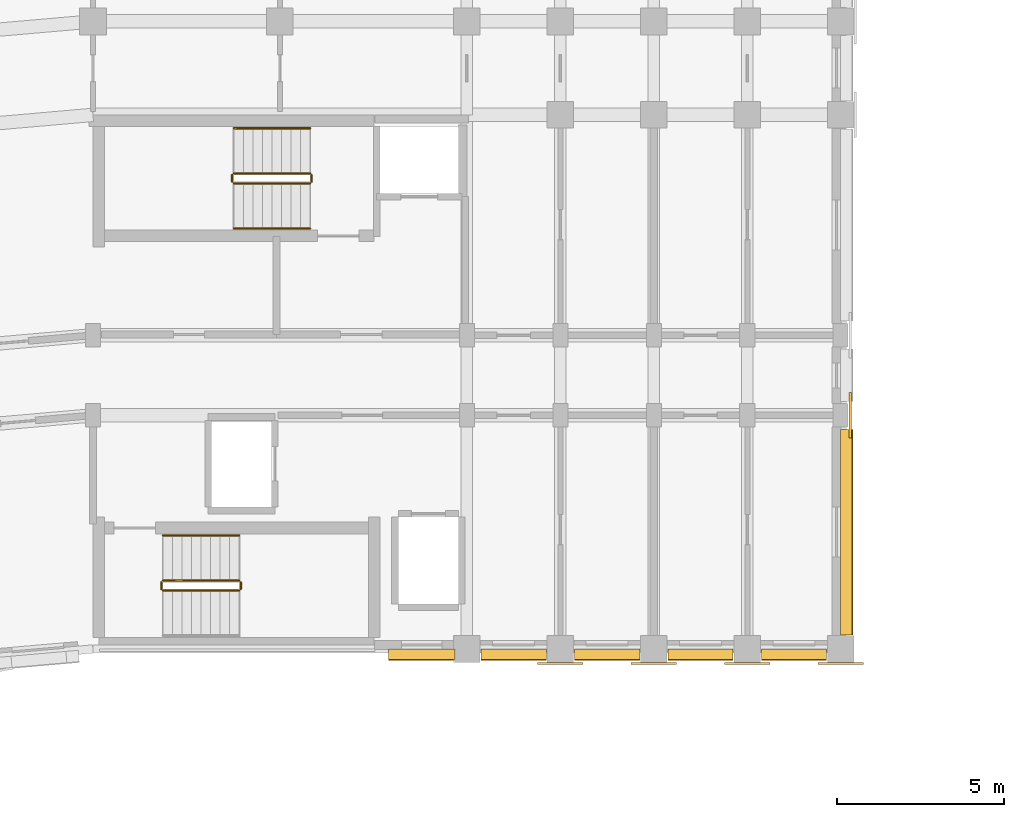
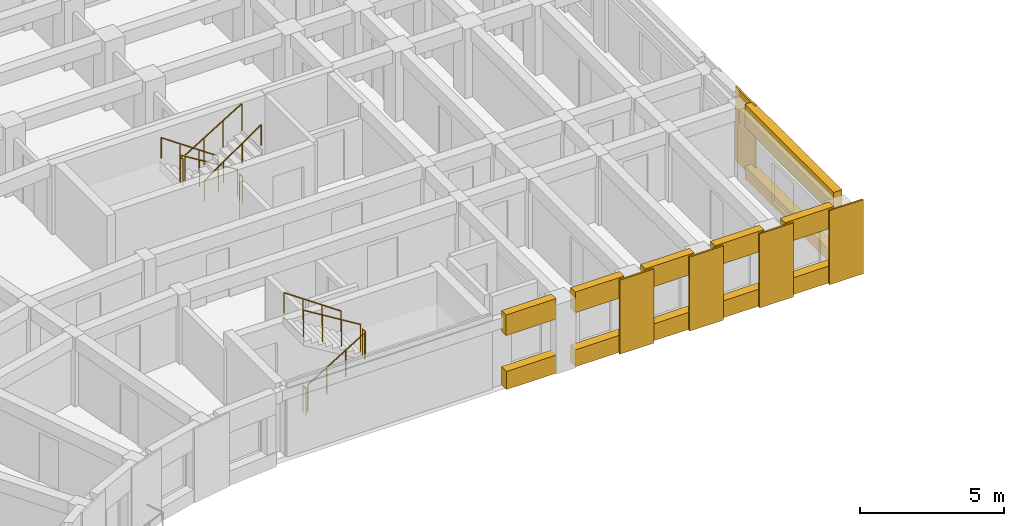
# One storey, part 47 of 54: 17 coverings, 11 railings.
"""IFC4 building model written with IfcOpenShell, lengths in metres."""

from ifc_helpers import new_model, si_unit, direction, frame, origin, origin_2d, place, context, subcontext, project, spatial, polyline, circle, outline, extrude, material, layer, layer_set, type_object, element, save


model = new_model("IFC4")

# Units and contexts
model_context = context("Model", 3, precision=1e-05, world=origin(), true_north=direction((0.0, 1.0)))
body_context = subcontext(model_context, "Body", "Model", "MODEL_VIEW")
ifc_project = project(units=[si_unit("LENGTHUNIT", "METRE"), si_unit("AREAUNIT", "SQUARE_METRE"), si_unit("VOLUMEUNIT", "CUBIC_METRE"), si_unit("PLANEANGLEUNIT", "RADIAN"), si_unit("MASSUNIT", "GRAM", prefix="KILO")], contexts=[model_context])

# Site, building, storey
site_placement = place(None, origin())
site = spatial("IfcSite", under=ifc_project, at=site_placement, CompositionType="ELEMENT")
building_placement = place(site_placement, origin())
building = spatial("IfcBuilding", under=site, at=building_placement, Name="Kiranvali Square Residences", CompositionType="ELEMENT")
storey_placement = place(building_placement, frame((0.0, 0.0, 11.85009765625)))
storey = spatial("IfcBuildingStorey", under=building, at=storey_placement, Name="L03", CompositionType="ELEMENT", Elevation=11.85009765625)

# Coverings
ifc_material_1 = material(Name="Honed Porbandar limestone ashlar facade cladding", Category="masonry")
ifc_layer_1 = layer(ifc_material_1, 0.050048828125)
ifc_layer_set_1 = layer_set([ifc_layer_1], Name="Honed Porbandar limestone ashlar facade cladding")
covering_type_1 = type_object("IfcCoveringType", Name="COV-CLAD-PIER-IN", PredefinedType="CLADDING", material=ifc_layer_set_1)
covering_1_placement = place(storey_placement, frame((0.0, 0.0, 0.0048828125)))
element("IfcCovering", 1, at=covering_1_placement, inside=storey, type_object=covering_type_1, Name="L03 Classical limestone pilaster casing CLAD-PRA1I-A-L03-U140", PredefinedType="CLADDING", context=body_context, shape_type="SweptSolid", body=[
    extrude(outline(polyline([(61.52001953125, 106.132080078125), (62.8798828125, 106.132080078125), (62.8798828125, 106.199462890625), (61.52001953125, 106.199462890625), (61.52001953125, 106.132080078125)])), origin(), (0.0, 0.0, 1.0), 3.14013671875),
])
covering_2_placement = place(storey_placement, frame((0.0, 0.0, 0.0048828125)))
element("IfcCovering", 2, at=covering_2_placement, inside=storey, type_object=covering_type_1, Name="L03 Classical limestone pilaster casing CLAD-PRA1I-A-L03-U167", PredefinedType="CLADDING", context=body_context, shape_type="SweptSolid", body=[
    extrude(outline(polyline([(64.320068359375, 106.132080078125), (65.679931640625, 106.132080078125), (65.679931640625, 106.199462890625), (64.320068359375, 106.199462890625), (64.320068359375, 106.132080078125)])), origin(), (0.0, 0.0, 1.0), 3.14013671875),
])
covering_3_placement = place(storey_placement, frame((0.0, 0.0, 0.0048828125)))
element("IfcCovering", 3, at=covering_3_placement, inside=storey, type_object=covering_type_1, Name="L03 Classical limestone pilaster casing CLAD-PRA1I-A-L03-U195", PredefinedType="CLADDING", context=body_context, shape_type="SweptSolid", body=[
    extrude(outline(polyline([(67.1201171875, 106.132080078125), (68.47998046875, 106.132080078125), (68.47998046875, 106.199462890625), (67.1201171875, 106.199462890625), (67.1201171875, 106.132080078125)])), origin(), (0.0, 0.0, 1.0), 3.14013671875),
])
covering_4_placement = place(storey_placement, frame((0.0, 0.0, 0.0048828125)))
element("IfcCovering", 4, at=covering_4_placement, inside=storey, type_object=covering_type_1, Name="L03 Classical limestone pilaster casing CLAD-PRA1I-A-L03-U224", PredefinedType="CLADDING", context=body_context, shape_type="SweptSolid", body=[
    extrude(outline(polyline([(69.919921875, 106.132080078125), (71.280029296875, 106.132080078125), (71.280029296875, 106.199462890625), (69.919921875, 106.199462890625), (69.919921875, 106.132080078125)])), origin(), (0.0, 0.0, 1.0), 3.14013671875),
])
ifc_layer_2 = layer(ifc_material_1, 0.054931640625)
ifc_layer_set_2 = layer_set([ifc_layer_2], Name="Honed Porbandar limestone ashlar facade cladding")
covering_type_2 = type_object("IfcCoveringType", Name="COV-CLAD-PIER-UP", PredefinedType="CLADDING", material=ifc_layer_set_2)
covering_5_placement = place(storey_placement, frame((0.0, 0.0, 0.0048828125)))
element("IfcCovering", 5, at=covering_5_placement, inside=storey, type_object=covering_type_2, Name="L03 Classical limestone pilaster casing CLAD-PRA1E-A-L03-R258", PredefinedType="CLADDING", context=body_context, shape_type="SweptSolid", body=[
    extrude(outline(polyline([(70.91796875, 112.919921875), (70.91796875, 114.280029296875), (70.8505859375, 114.280029296875), (70.8505859375, 112.919921875), (70.91796875, 112.919921875)])), origin(), (0.0, 0.0, 1.0), 3.14013671875),
])
ifc_layer_3 = layer(ifc_material_1, 0.360107421875)
ifc_layer_set_3 = layer_set([ifc_layer_3], Name="Honed Porbandar limestone ashlar facade cladding")
covering_type_3 = type_object("IfcCoveringType", Name="COV-CLAD-WALL", PredefinedType="CLADDING", material=ifc_layer_set_3)
covering_6_placement = place(storey_placement, frame((0.0, 0.0, 2.27197265625)))
element("IfcCovering", 6, at=covering_6_placement, inside=storey, type_object=covering_type_3, Name="L03 light limestone spandrel lintel A-L03-A1IN-0", PredefinedType="CLADDING", context=body_context, shape_type="SweptSolid", body=[
    extrude(outline(polyline([(57.050048828125, 106.280029296875), (59.050048828125, 106.280029296875), (59.050048828125, 106.599609375), (57.050048828125, 106.599609375), (57.050048828125, 106.280029296875)])), origin(), (0.0, 0.0, 1.0), 0.873046875),
])
covering_7_placement = place(storey_placement, frame((0.0, 0.0, 0.0048828125)))
element("IfcCovering", 7, at=covering_7_placement, inside=storey, type_object=covering_type_3, Name="L03 limestone window sill apron A-L03-A1IN-0", PredefinedType="CLADDING", context=body_context, shape_type="SweptSolid", body=[
    extrude(outline(polyline([(57.050048828125, 106.25), (59.050048828125, 106.25), (59.050048828125, 106.599609375), (57.050048828125, 106.599609375), (57.050048828125, 106.25)])), origin(), (0.0, 0.0, 1.0), 0.76708984375),
])
covering_8_placement = place(storey_placement, frame((0.0, 0.0, 2.27197265625)))
element("IfcCovering", 8, at=covering_8_placement, inside=storey, type_object=covering_type_3, Name="L03 light limestone spandrel lintel A-L03-A1I-0", PredefinedType="CLADDING", context=body_context, shape_type="SweptSolid", body=[
    extrude(outline(polyline([(59.820068359375, 106.280029296875), (61.780029296875, 106.280029296875), (61.780029296875, 106.599609375), (59.820068359375, 106.599609375), (59.820068359375, 106.280029296875)])), origin(), (0.0, 0.0, 1.0), 0.873046875),
])
covering_9_placement = place(storey_placement, frame((0.0, 0.0, 0.0048828125)))
element("IfcCovering", 9, at=covering_9_placement, inside=storey, type_object=covering_type_3, Name="L03 limestone window sill apron A-L03-A1I-0", PredefinedType="CLADDING", context=body_context, shape_type="SweptSolid", body=[
    extrude(outline(polyline([(59.820068359375, 106.25), (61.780029296875, 106.25), (61.780029296875, 106.599609375), (59.820068359375, 106.599609375), (59.820068359375, 106.25)])), origin(), (0.0, 0.0, 1.0), 0.717041015625),
])
covering_10_placement = place(storey_placement, frame((0.0, 0.0, 2.27197265625)))
element("IfcCovering", 10, at=covering_10_placement, inside=storey, type_object=covering_type_3, Name="L03 light limestone spandrel lintel A-L03-A1I-1", PredefinedType="CLADDING", context=body_context, shape_type="SweptSolid", body=[
    extrude(outline(polyline([(62.6201171875, 106.280029296875), (64.580078125, 106.280029296875), (64.580078125, 106.599609375), (62.6201171875, 106.599609375), (62.6201171875, 106.280029296875)])), origin(), (0.0, 0.0, 1.0), 0.873046875),
])
covering_11_placement = place(storey_placement, frame((0.0, 0.0, 0.0048828125)))
element("IfcCovering", 11, at=covering_11_placement, inside=storey, type_object=covering_type_3, Name="L03 limestone window sill apron A-L03-A1I-1", PredefinedType="CLADDING", context=body_context, shape_type="SweptSolid", body=[
    extrude(outline(polyline([(62.6201171875, 106.25), (64.580078125, 106.25), (64.580078125, 106.599609375), (62.6201171875, 106.599609375), (62.6201171875, 106.25)])), origin(), (0.0, 0.0, 1.0), 0.717041015625),
])
covering_12_placement = place(storey_placement, frame((0.0, 0.0, 2.27197265625)))
element("IfcCovering", 12, at=covering_12_placement, inside=storey, type_object=covering_type_3, Name="L03 light limestone spandrel lintel A-L03-A1I-2", PredefinedType="CLADDING", context=body_context, shape_type="SweptSolid", body=[
    extrude(outline(polyline([(65.419921875, 106.280029296875), (67.3798828125, 106.280029296875), (67.3798828125, 106.599609375), (65.419921875, 106.599609375), (65.419921875, 106.280029296875)])), origin(), (0.0, 0.0, 1.0), 0.873046875),
])
covering_13_placement = place(storey_placement, frame((0.0, 0.0, 0.0048828125)))
element("IfcCovering", 13, at=covering_13_placement, inside=storey, type_object=covering_type_3, Name="L03 limestone window sill apron A-L03-A1I-2", PredefinedType="CLADDING", context=body_context, shape_type="SweptSolid", body=[
    extrude(outline(polyline([(65.419921875, 106.25), (67.3798828125, 106.25), (67.3798828125, 106.599609375), (65.419921875, 106.599609375), (65.419921875, 106.25)])), origin(), (0.0, 0.0, 1.0), 0.717041015625),
])
covering_14_placement = place(storey_placement, frame((0.0, 0.0, 2.27197265625)))
element("IfcCovering", 14, at=covering_14_placement, inside=storey, type_object=covering_type_3, Name="L03 light limestone spandrel lintel A-L03-A1I-3", PredefinedType="CLADDING", context=body_context, shape_type="SweptSolid", body=[
    extrude(outline(polyline([(68.219970703125, 106.280029296875), (70.179931640625, 106.280029296875), (70.179931640625, 106.599609375), (68.219970703125, 106.599609375), (68.219970703125, 106.280029296875)])), origin(), (0.0, 0.0, 1.0), 0.873046875),
])
covering_15_placement = place(storey_placement, frame((0.0, 0.0, 0.0048828125)))
element("IfcCovering", 15, at=covering_15_placement, inside=storey, type_object=covering_type_3, Name="L03 limestone window sill apron A-L03-A1I-3", PredefinedType="CLADDING", context=body_context, shape_type="SweptSolid", body=[
    extrude(outline(polyline([(68.219970703125, 106.25), (70.179931640625, 106.25), (70.179931640625, 106.599609375), (68.219970703125, 106.599609375), (68.219970703125, 106.25)])), origin(), (0.0, 0.0, 1.0), 0.717041015625),
])
covering_16_placement = place(storey_placement, frame((0.0, 0.0, 2.171875)))
element("IfcCovering", 16, at=covering_16_placement, inside=storey, type_object=covering_type_3, Name="L03 light limestone spandrel lintel A-L03-A1END-0", PredefinedType="CLADDING", context=body_context, shape_type="SweptSolid", body=[
    extrude(outline(polyline([(70.93994140625, 107.02001953125), (70.93994140625, 113.179931640625), (70.6005859375, 113.179931640625), (70.6005859375, 107.02001953125), (70.93994140625, 107.02001953125)])), origin(), (0.0, 0.0, 1.0), 0.97314453125),
])
covering_17_placement = place(storey_placement, frame((0.0, 0.0, 0.0048828125)))
element("IfcCovering", 17, at=covering_17_placement, inside=storey, type_object=covering_type_3, Name="L03 limestone window sill apron A-L03-A1END-0", PredefinedType="CLADDING", context=body_context, shape_type="SweptSolid", body=[
    extrude(outline(polyline([(70.969970703125, 107.02001953125), (70.969970703125, 113.179931640625), (70.6005859375, 113.179931640625), (70.6005859375, 107.02001953125), (70.969970703125, 107.02001953125)])), origin(), (0.0, 0.0, 1.0), 0.51708984375),
])

# Railings
ifc_material_2 = material(Name="Brushed stainless steel tubular handrail", Category="steel")
railing_type_1 = type_object("IfcRailingType", Name="RL-HANDRAIL-900", PredefinedType="HANDRAIL", material=ifc_material_2)
railing_1_placement = place(storey_placement, frame((54.699951171875, 122.199951171875, 0.1748046875)))
element("IfcRailing", 18, at=railing_1_placement, inside=storey, type_object=railing_type_1, Name="L03 ST-A1 stair handrail 1", PredefinedType="HANDRAIL", context=body_context, shape_type="SweptSolid", body=[
    extrude(circle(Radius=0.02392578125, at=origin_2d()), frame((0.0, 0.0, 0.8759765625), z_axis=(-0.82274681792, 0.0, 0.568408016835), x_axis=(0.0, -1.0, 0.0)), (0.0, 0.0, 1.0), 2.771240234375),
    extrude(circle(Radius=0.02099609375, at=origin_2d()), origin(), (0.0, 0.0, 1.0), 0.851806640625),
    extrude(circle(Radius=0.02099609375, at=origin_2d()), frame((-0.760009765625, 0.0, 0.525146484375)), (0.0, 0.0, 1.0), 0.851806640625),
    extrude(circle(Radius=0.02099609375, at=origin_2d()), frame((-1.52001953125, 0.0, 1.050048828125)), (0.0, 0.0, 1.0), 0.851806640625),
    extrude(circle(Radius=0.02099609375, at=origin_2d()), frame((-2.280029296875, 0.0, 1.5751953125)), (0.0, 0.0, 1.0), 0.851806640625),
])
railing_2_placement = place(storey_placement, frame((52.419921875, 119.199951171875, 1.75)))
element("IfcRailing", 19, at=railing_2_placement, inside=storey, type_object=railing_type_1, Name="L03 ST-A1 stair handrail 2", PredefinedType="HANDRAIL", context=body_context, shape_type="SweptSolid", body=[
    extrude(circle(Radius=0.02392578125, at=origin_2d()), frame((0.0, 0.0, 0.8759765625), z_axis=(0.82278801735, 0.0, 0.568348377763), x_axis=(0.0, 1.0, 0.0)), (0.0, 0.0, 1.0), 2.77099609375),
    extrude(circle(Radius=0.02099609375, at=origin_2d()), origin(), (0.0, 0.0, 1.0), 0.851806640625),
    extrude(circle(Radius=0.02099609375, at=origin_2d()), frame((0.760009765625, 0.0, 0.52490234375)), (0.0, 0.0, 1.0), 0.851806640625),
    extrude(circle(Radius=0.02099609375, at=origin_2d()), frame((1.52001953125, 0.0, 1.050048828125)), (0.0, 0.0, 1.0), 0.851806640625),
    extrude(circle(Radius=0.02099609375, at=origin_2d()), frame((2.280029296875, 0.0, 1.574951171875)), (0.0, 0.0, 1.0), 0.851806640625),
])
railing_3_placement = place(storey_placement, frame((52.580078125, 110.0, 1.75)))
element("IfcRailing", 20, at=railing_3_placement, inside=storey, type_object=railing_type_1, Name="L03 ST-A2 stair handrail 2", PredefinedType="HANDRAIL", context=body_context, shape_type="SweptSolid", body=[
    extrude(circle(Radius=0.02392578125, at=origin_2d()), frame((0.0, 0.0, 0.8759765625), z_axis=(-0.82278801735, 0.0, 0.568348377763), x_axis=(0.0, -1.0, 0.0)), (0.0, 0.0, 1.0), 2.77099609375),
    extrude(circle(Radius=0.02099609375, at=origin_2d()), origin(), (0.0, 0.0, 1.0), 0.851806640625),
    extrude(circle(Radius=0.02099609375, at=origin_2d()), frame((-0.760009765625, 0.0, 0.52490234375)), (0.0, 0.0, 1.0), 0.851806640625),
    extrude(circle(Radius=0.02099609375, at=origin_2d()), frame((-1.52001953125, 0.0, 1.050048828125)), (0.0, 0.0, 1.0), 0.851806640625),
    extrude(circle(Radius=0.02099609375, at=origin_2d()), frame((-2.280029296875, 0.0, 1.574951171875)), (0.0, 0.0, 1.0), 0.851806640625),
])
ifc_material_3 = material(Name="Powder-coated architectural bronze balustrade", Category="steel")
railing_type_2 = type_object("IfcRailingType", Name="RL-ST-GUARD-1200", PredefinedType="GUARDRAIL", material=ifc_material_3)
railing_4_placement = place(storey_placement, frame((54.699951171875, 120.85009765625, 0.1748046875)))
element("IfcRailing", 21, at=railing_4_placement, inside=storey, type_object=railing_type_2, Name="L03 ST-A1 stair guard 1", PredefinedType="GUARDRAIL", context=body_context, shape_type="SweptSolid", body=[
    extrude(circle(Radius=0.02392578125, at=origin_2d()), frame((0.0, 0.0, 1.1259765625), z_axis=(-0.852149810458, 0.0, 0.523297908018), x_axis=(0.0, -1.0, 0.0)), (0.0, 0.0, 1.0), 2.675537109375),
    extrude(circle(Radius=0.02099609375, at=origin_2d()), origin(), (0.0, 0.0, 1.0), 1.101806640625),
    extrude(circle(Radius=0.02099609375, at=origin_2d()), frame((-0.760009765625, 0.0, 0.466796875)), (0.0, 0.0, 1.0), 1.101806640625),
    extrude(circle(Radius=0.02099609375, at=origin_2d()), frame((-1.52001953125, 0.0, 0.933349609375)), (0.0, 0.0, 1.0), 1.101806640625),
    extrude(circle(Radius=0.02099609375, at=origin_2d()), frame((-2.280029296875, 0.0, 1.400146484375)), (0.0, 0.0, 1.0), 1.101806640625),
])
railing_5_placement = place(storey_placement, frame((52.3701171875, 120.800048828125, 1.574951171875)))
element("IfcRailing", 22, at=railing_5_placement, inside=storey, type_object=railing_type_2, Name="L03 ST-A1 stair guard 2", PredefinedType="GUARDRAIL", context=body_context, shape_type="SweptSolid", body=[
    extrude(circle(Radius=0.02392578125, at=origin_2d()), frame((0.0, 0.0, 1.1259765625), z_axis=(0.0, -1.0, 0.0), x_axis=(1.0, 0.0, 0.0)), (0.0, 0.0, 1.0), 0.199951171875),
    extrude(circle(Radius=0.02099609375, at=origin_2d()), origin(), (0.0, 0.0, 1.0), 1.101806640625),
    extrude(circle(Radius=0.02099609375, at=origin_2d()), frame((0.0, -0.199951171875, 0.0)), (0.0, 0.0, 1.0), 1.101806640625),
])
railing_6_placement = place(storey_placement, frame((52.419921875, 120.550048828125, 1.75)))
element("IfcRailing", 23, at=railing_6_placement, inside=storey, type_object=railing_type_2, Name="L03 ST-A1 stair guard 3", PredefinedType="GUARDRAIL", context=body_context, shape_type="SweptSolid", body=[
    extrude(circle(Radius=0.02392578125, at=origin_2d()), frame((0.0, 0.0, 1.1259765625), z_axis=(0.852190499154, 0.0, 0.523231643875), x_axis=(0.0, 1.0, 0.0)), (0.0, 0.0, 1.0), 2.675537109375),
    extrude(circle(Radius=0.02099609375, at=origin_2d()), origin(), (0.0, 0.0, 1.0), 1.101806640625),
    extrude(circle(Radius=0.02099609375, at=origin_2d()), frame((0.760009765625, 0.0, 0.466552734375)), (0.0, 0.0, 1.0), 1.101806640625),
    extrude(circle(Radius=0.02099609375, at=origin_2d()), frame((1.52001953125, 0.0, 0.933349609375)), (0.0, 0.0, 1.0), 1.101806640625),
    extrude(circle(Radius=0.02099609375, at=origin_2d()), frame((2.280029296875, 0.0, 1.39990234375)), (0.0, 0.0, 1.0), 1.101806640625),
])
railing_7_placement = place(storey_placement, frame((54.75, 120.800048828125, 0.0)))
element("IfcRailing", 24, at=railing_7_placement, inside=storey, type_object=railing_type_2, Name="L03 ST-A1 stair guard 4", PredefinedType="GUARDRAIL", context=body_context, shape_type="SweptSolid", body=[
    extrude(circle(Radius=0.02392578125, at=origin_2d()), frame((0.0, 0.0, 1.1259765625), z_axis=(0.0, -1.0, 0.0), x_axis=(1.0, 0.0, 0.0)), (0.0, 0.0, 1.0), 0.199951171875),
    extrude(circle(Radius=0.02099609375, at=origin_2d()), origin(), (0.0, 0.0, 1.0), 1.101806640625),
    extrude(circle(Radius=0.02099609375, at=origin_2d()), frame((0.0, -0.199951171875, 0.0)), (0.0, 0.0, 1.0), 1.101806640625),
])
railing_8_placement = place(storey_placement, frame((50.300048828125, 108.35009765625, 0.1748046875)))
element("IfcRailing", 25, at=railing_8_placement, inside=storey, type_object=railing_type_2, Name="L03 ST-A2 stair guard 1", PredefinedType="GUARDRAIL", context=body_context, shape_type="SweptSolid", body=[
    extrude(circle(Radius=0.02392578125, at=origin_2d()), frame((0.0, 0.0, 1.1259765625), z_axis=(0.852149810458, 0.0, 0.523297908018), x_axis=(0.0, 1.0, 0.0)), (0.0, 0.0, 1.0), 2.675537109375),
    extrude(circle(Radius=0.02099609375, at=origin_2d()), origin(), (0.0, 0.0, 1.0), 1.101806640625),
    extrude(circle(Radius=0.02099609375, at=origin_2d()), frame((0.760009765625, 0.0, 0.466796875)), (0.0, 0.0, 1.0), 1.101806640625),
    extrude(circle(Radius=0.02099609375, at=origin_2d()), frame((1.52001953125, 0.0, 0.933349609375)), (0.0, 0.0, 1.0), 1.101806640625),
    extrude(circle(Radius=0.02099609375, at=origin_2d()), frame((2.280029296875, 0.0, 1.400146484375)), (0.0, 0.0, 1.0), 1.101806640625),
])
railing_9_placement = place(storey_placement, frame((52.6298828125, 108.39990234375, 1.574951171875)))
element("IfcRailing", 26, at=railing_9_placement, inside=storey, type_object=railing_type_2, Name="L03 ST-A2 stair guard 2", PredefinedType="GUARDRAIL", context=body_context, shape_type="SweptSolid", body=[
    extrude(circle(Radius=0.02392578125, at=origin_2d()), frame((0.0, 0.0, 1.1259765625), z_axis=(0.0, 1.0, 0.0), x_axis=(-1.0, 0.0, 0.0)), (0.0, 0.0, 1.0), 0.2001953125),
    extrude(circle(Radius=0.02099609375, at=origin_2d()), origin(), (0.0, 0.0, 1.0), 1.101806640625),
    extrude(circle(Radius=0.02099609375, at=origin_2d()), frame((0.0, 0.2001953125, 0.0)), (0.0, 0.0, 1.0), 1.101806640625),
])
railing_10_placement = place(storey_placement, frame((52.580078125, 108.64990234375, 1.75)))
element("IfcRailing", 27, at=railing_10_placement, inside=storey, type_object=railing_type_2, Name="L03 ST-A2 stair guard 3", PredefinedType="GUARDRAIL", context=body_context, shape_type="SweptSolid", body=[
    extrude(circle(Radius=0.02392578125, at=origin_2d()), frame((0.0, 0.0, 1.1259765625), z_axis=(-0.852190499154, 0.0, 0.523231643875), x_axis=(0.0, -1.0, 0.0)), (0.0, 0.0, 1.0), 2.675537109375),
    extrude(circle(Radius=0.02099609375, at=origin_2d()), origin(), (0.0, 0.0, 1.0), 1.101806640625),
    extrude(circle(Radius=0.02099609375, at=origin_2d()), frame((-0.760009765625, 0.0, 0.466552734375)), (0.0, 0.0, 1.0), 1.101806640625),
    extrude(circle(Radius=0.02099609375, at=origin_2d()), frame((-1.52001953125, 0.0, 0.933349609375)), (0.0, 0.0, 1.0), 1.101806640625),
    extrude(circle(Radius=0.02099609375, at=origin_2d()), frame((-2.280029296875, 0.0, 1.39990234375)), (0.0, 0.0, 1.0), 1.101806640625),
])
railing_11_placement = place(storey_placement, frame((50.25, 108.39990234375, 0.0)))
element("IfcRailing", 28, at=railing_11_placement, inside=storey, type_object=railing_type_2, Name="L03 ST-A2 stair guard 4", PredefinedType="GUARDRAIL", context=body_context, shape_type="SweptSolid", body=[
    extrude(circle(Radius=0.02392578125, at=origin_2d()), frame((0.0, 0.0, 1.1259765625), z_axis=(0.0, 1.0, 0.0), x_axis=(-1.0, 0.0, 0.0)), (0.0, 0.0, 1.0), 0.2001953125),
    extrude(circle(Radius=0.02099609375, at=origin_2d()), origin(), (0.0, 0.0, 1.0), 1.101806640625),
    extrude(circle(Radius=0.02099609375, at=origin_2d()), frame((0.0, 0.2001953125, 0.0)), (0.0, 0.0, 1.0), 1.101806640625),
])

save(model, "model.ifc")
